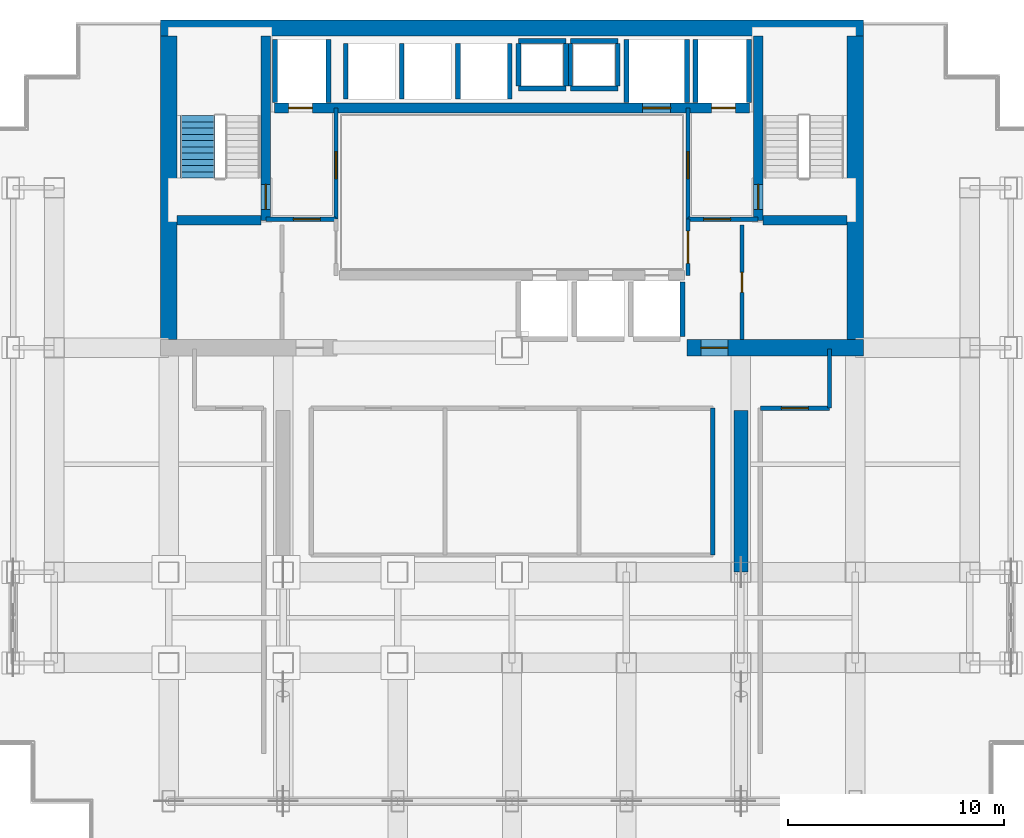
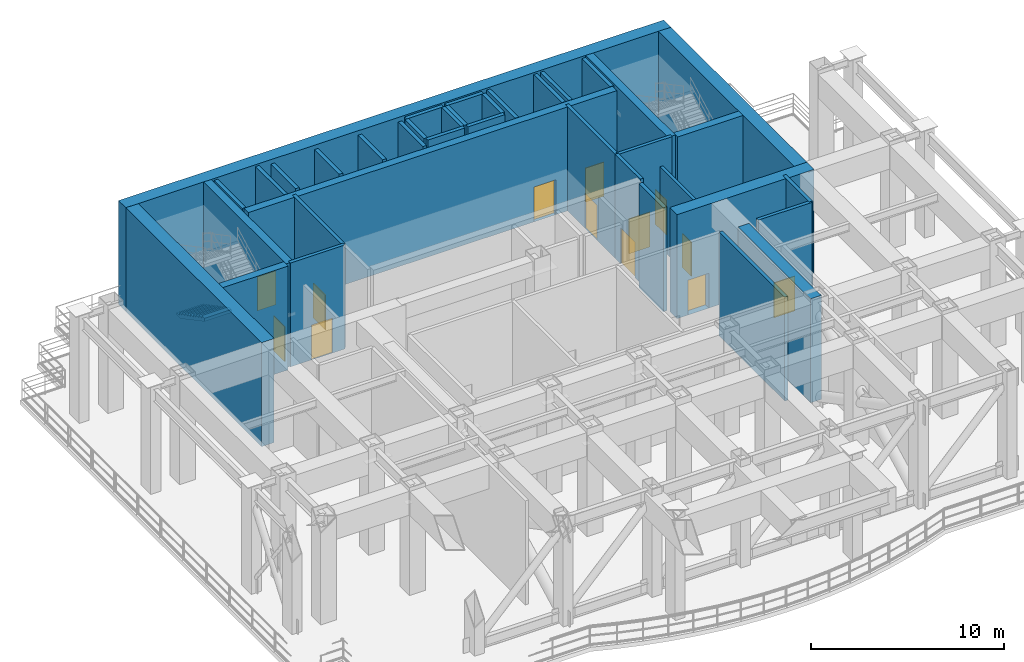
# One storey, part 4 of 8: 38 walls, 13 doors, 1 stair flight, 13 openings, 1 element without a shape of its own.
"""IFC4 building model written with IfcOpenShell, lengths in metres."""

from ifc_helpers import new_model, si_unit, direction, frame, frame_2d, origin, place, context, subcontext, project, spatial, polyline, rectangle, outline, extrude, material, layer, layer_set, type_object, element, fill, aggregate, save


model = new_model("IFC4")

# Units and contexts
model_context = context("Model", 3, precision=1e-05, world=origin(), true_north=direction((0.0, 1.0)))
body_context = subcontext(model_context, "Body", "Model", "MODEL_VIEW")
ifc_project = project(units=[si_unit("LENGTHUNIT", "METRE"), si_unit("AREAUNIT", "SQUARE_METRE"), si_unit("VOLUMEUNIT", "CUBIC_METRE"), si_unit("PLANEANGLEUNIT", "RADIAN"), si_unit("MASSUNIT", "GRAM", prefix="KILO")], contexts=[model_context])

# Site, building, storey
site_placement = place(None, origin())
site = spatial("IfcSite", under=ifc_project, at=site_placement, CompositionType="ELEMENT")
building_placement = place(site_placement, origin())
building = spatial("IfcBuilding", under=site, at=building_placement, Name="Qianlan Lanfeng Residences", CompositionType="ELEMENT")
storey_placement = place(building_placement, frame((0.0, 0.0, 127.89990234375)))
storey = spatial("IfcBuildingStorey", under=building, at=storey_placement, Name="L35", CompositionType="ELEMENT", Elevation=127.89990234375)

# Wall, opening, door
ifc_material_1 = material(Name="Concrete C60", Category="concrete")
ifc_layer_1 = layer(ifc_material_1, 0.449951171875)
ifc_layer_set_1 = layer_set([ifc_layer_1], Name="Concrete C60")
wall_type_1 = type_object("IfcWallType", Name="CW-RC-450", PredefinedType="SHEAR", material=ifc_layer_set_1)
wall_1_placement = place(storey_placement, frame((15.10009765625, 31.10009765625, 0.0), z_axis=(0.0, 0.0, 1.0), x_axis=(0.0, 1.0, 0.0)))
wall_1 = element("IfcWall", 1, at=wall_1_placement, inside=storey, type_object=wall_type_1, Name="L35 Core Shear Wall ST1E", PredefinedType="SHEAR", context=body_context, shape_type="SweptSolid", body=[
    extrude(rectangle(XDim=8.52490234375, YDim=0.449951171875, at=frame_2d((4.262451171875, 0.0))), origin(), (0.0, 0.0, 1.0), 6.56005859375),
])
opening_1_placement = place(wall_1_placement, frame((0.510009765625, 0.0, 0.0)))
opening_1 = element("IfcOpeningElement", 2, at=opening_1_placement, cuts=wall_1, Name="Opening L35-D07", PredefinedType="OPENING", context=body_context, shape_type="SweptSolid", body=[
    extrude(rectangle(XDim=1.14990234375, YDim=2.199951171875, at=frame_2d((0.574951171875, 1.10009765625))), frame((0.0, 0.23486328125, 0.0), z_axis=(0.0, -1.0, 0.0), x_axis=(1.0, 0.0, 0.0)), (0.0, 0.0, 1.0), 0.469970703125),
])
ifc_material_2 = material(Name="Painted Galvanised Steel Fire Door", Category="steel")
door_type_1 = type_object("IfcDoorType", Name="DT-ST1", OperationType="NOTDEFINED", PredefinedType="DOOR", material=ifc_material_2)
door_1_placement = place(opening_1_placement, frame((1.14990234375, 0.0, 0.0), z_axis=(0.0, 0.0, 1.0), x_axis=(-1.0, 0.0, 0.0)))
door_1 = element("IfcDoor", 3, at=door_1_placement, inside=storey, type_object=door_type_1, Name="L35 Exit Stair ST-1 Door L35-D07 (DT-ST1)", OperationType="SINGLE_SWING_RIGHT", OverallHeight=2.199951171875, OverallWidth=1.14990234375, PredefinedType="DOOR", context=body_context, shape_type="SweptSolid", body=[
    extrude(rectangle(XDim=1.14990234375, YDim=2.199951171875, at=frame_2d((0.574951171875, 1.10009765625))), frame((0.0, 0.02490234375, 0.0), z_axis=(0.0, -1.0, 0.0), x_axis=(1.0, 0.0, 0.0)), (0.0, 0.0, 1.0), 0.050048828125),
])
fill(opening_1, door_1)

# Wall
wall_2_placement = place(storey_placement, frame((10.97509765625, 31.10009765625, 0.0), z_axis=(0.0, 0.0, 1.0), x_axis=(1.0, 0.0, 0.0)))
element("IfcWall", 4, at=wall_2_placement, inside=storey, type_object=wall_type_1, Name="L35 Core Shear Wall ST1S", PredefinedType="SHEAR", context=body_context, shape_type="SweptSolid", body=[
    extrude(rectangle(XDim=3.89990234375, YDim=0.449951171875, at=frame_2d((1.949951171875, 0.0))), origin(), (0.0, 0.0, 1.0), 6.56005859375),
])

# Wall, opening, door
wall_3_placement = place(storey_placement, frame((37.89990234375, 31.10009765625, 0.0), z_axis=(0.0, 0.0, 1.0), x_axis=(0.0, 1.0, 0.0)))
wall_3 = element("IfcWall", 5, at=wall_3_placement, inside=storey, type_object=wall_type_1, Name="L35 Core Shear Wall ST2W", PredefinedType="SHEAR", context=body_context, shape_type="SweptSolid", body=[
    extrude(rectangle(XDim=8.52490234375, YDim=0.449951171875, at=frame_2d((4.262451171875, 0.0))), origin(), (0.0, 0.0, 1.0), 6.56005859375),
])
opening_2_placement = place(wall_3_placement, frame((0.510009765625, 0.0, 0.0)))
opening_2 = element("IfcOpeningElement", 6, at=opening_2_placement, cuts=wall_3, Name="Opening L35-D08", PredefinedType="OPENING", context=body_context, shape_type="SweptSolid", body=[
    extrude(rectangle(XDim=1.14990234375, YDim=2.199951171875, at=frame_2d((0.574951171875, 1.10009765625))), frame((0.0, 0.23486328125, 0.0), z_axis=(0.0, -1.0, 0.0), x_axis=(1.0, 0.0, 0.0)), (0.0, 0.0, 1.0), 0.469970703125),
])
door_2_placement = place(opening_2_placement, origin())
door_2 = element("IfcDoor", 7, at=door_2_placement, inside=storey, type_object=door_type_1, Name="L35 Exit Stair ST-2 Door L35-D08 (DT-ST1)", OperationType="SINGLE_SWING_RIGHT", OverallHeight=2.199951171875, OverallWidth=1.14990234375, PredefinedType="DOOR", context=body_context, shape_type="SweptSolid", body=[
    extrude(rectangle(XDim=1.14990234375, YDim=2.199951171875, at=frame_2d((0.574951171875, 1.10009765625))), frame((0.0, 0.02490234375, 0.0), z_axis=(0.0, -1.0, 0.0), x_axis=(1.0, 0.0, 0.0)), (0.0, 0.0, 1.0), 0.050048828125),
])
fill(opening_2, door_2)

# Wall
wall_4_placement = place(storey_placement, frame((38.125, 31.10009765625, 0.0), z_axis=(0.0, 0.0, 1.0), x_axis=(1.0, 0.0, 0.0)))
element("IfcWall", 8, at=wall_4_placement, inside=storey, type_object=wall_type_1, Name="L35 Core Shear Wall ST2S", PredefinedType="SHEAR", context=body_context, shape_type="SweptSolid", body=[
    extrude(rectangle(XDim=3.89990234375, YDim=0.449951171875, at=frame_2d((1.949951171875, 0.0))), origin(), (0.0, 0.0, 1.0), 6.56005859375),
])

# Wall, openings, doors
wall_5_placement = place(storey_placement, frame((15.5, 36.300048828125, 0.0), z_axis=(0.0, 0.0, 1.0), x_axis=(1.0, 0.0, 0.0)))
wall_5 = element("IfcWall", 9, at=wall_5_placement, inside=storey, type_object=wall_type_1, Name="L35 Core Shear Wall LBN", PredefinedType="SHEAR", context=body_context, shape_type="SweptSolid", body=[
    extrude(rectangle(XDim=22.0, YDim=0.449951171875, at=frame_2d((11.0, 0.0))), origin(), (0.0, 0.0, 1.0), 6.56005859375),
])
opening_3_placement = place(wall_5_placement, frame((0.64990234375, 0.0, 0.0)))
opening_3 = element("IfcOpeningElement", 10, at=opening_3_placement, cuts=wall_5, Name="Opening L35-LD-FFL-1", PredefinedType="OPENING", context=body_context, shape_type="SweptSolid", body=[
    extrude(rectangle(XDim=1.10009765625, YDim=2.14990234375, at=frame_2d((0.550048828125, 1.074951171875))), frame((0.0, 0.23486328125, 0.0), z_axis=(0.0, -1.0, 0.0), x_axis=(1.0, 0.0, 0.0)), (0.0, 0.0, 1.0), 0.469970703125),
])
opening_4_placement = place(wall_5_placement, frame((20.25, 0.0, 0.0)))
opening_4 = element("IfcOpeningElement", 11, at=opening_4_placement, cuts=wall_5, Name="Opening L35-LD-FFL-2", PredefinedType="OPENING", context=body_context, shape_type="SweptSolid", body=[
    extrude(rectangle(XDim=1.10009765625, YDim=2.14990234375, at=frame_2d((0.550048828125, 1.074951171875))), frame((0.0, 0.23486328125, 0.0), z_axis=(0.0, -1.0, 0.0), x_axis=(1.0, 0.0, 0.0)), (0.0, 0.0, 1.0), 0.469970703125),
])
opening_5_placement = place(wall_5_placement, frame((17.050048828125, 0.0, 0.0)))
opening_5 = element("IfcOpeningElement", 12, at=opening_5_placement, cuts=wall_5, Name="Opening L35-LD-SVL-1", PredefinedType="OPENING", context=body_context, shape_type="SweptSolid", body=[
    extrude(rectangle(XDim=1.300048828125, YDim=2.199951171875, at=frame_2d((0.64990234375, 1.10009765625))), frame((0.0, 0.23486328125, 0.0), z_axis=(0.0, -1.0, 0.0), x_axis=(1.0, 0.0, 0.0)), (0.0, 0.0, 1.0), 0.469970703125),
])
ifc_material_3 = material(Name="Brushed Stainless Steel Sliding Lift Door", Category="steel")
door_type_2 = type_object("IfcDoorType", Name="LD-01", OperationType="NOTDEFINED", PredefinedType="DOOR", material=ifc_material_3)
door_3_placement = place(opening_3_placement, frame((1.10009765625, 0.0, 0.0), z_axis=(0.0, 0.0, 1.0), x_axis=(-1.0, 0.0, 0.0)))
door_3 = element("IfcDoor", 13, at=door_3_placement, inside=storey, type_object=door_type_2, Name="L35 Elevator FFL-1 Sliding Landing Door", OperationType="DOUBLE_DOOR_SLIDING", OverallHeight=2.14990234375, OverallWidth=1.10009765625, PredefinedType="DOOR", context=body_context, shape_type="SweptSolid", body=[
    extrude(rectangle(XDim=1.10009765625, YDim=2.14990234375, at=frame_2d((0.550048828125, 1.074951171875))), frame((0.0, 0.02490234375, 0.0), z_axis=(0.0, -1.0, 0.0), x_axis=(1.0, 0.0, 0.0)), (0.0, 0.0, 1.0), 0.050048828125),
])
fill(opening_3, door_3)
door_4_placement = place(opening_4_placement, frame((1.10009765625, 0.0, 0.0), z_axis=(0.0, 0.0, 1.0), x_axis=(-1.0, 0.0, 0.0)))
door_4 = element("IfcDoor", 14, at=door_4_placement, inside=storey, type_object=door_type_2, Name="L35 Elevator FFL-2 Sliding Landing Door", OperationType="DOUBLE_DOOR_SLIDING", OverallHeight=2.14990234375, OverallWidth=1.10009765625, PredefinedType="DOOR", context=body_context, shape_type="SweptSolid", body=[
    extrude(rectangle(XDim=1.10009765625, YDim=2.14990234375, at=frame_2d((0.550048828125, 1.074951171875))), frame((0.0, 0.02490234375, 0.0), z_axis=(0.0, -1.0, 0.0), x_axis=(1.0, 0.0, 0.0)), (0.0, 0.0, 1.0), 0.050048828125),
])
fill(opening_4, door_4)
door_type_3 = type_object("IfcDoorType", Name="LD-02", OperationType="NOTDEFINED", PredefinedType="DOOR", material=ifc_material_3)
door_5_placement = place(opening_5_placement, frame((1.300048828125, 0.0, 0.0), z_axis=(0.0, 0.0, 1.0), x_axis=(-1.0, 0.0, 0.0)))
door_5 = element("IfcDoor", 15, at=door_5_placement, inside=storey, type_object=door_type_3, Name="L35 Elevator SVL-1 Sliding Landing Door", OperationType="DOUBLE_DOOR_SLIDING", OverallHeight=2.199951171875, OverallWidth=1.300048828125, PredefinedType="DOOR", context=body_context, shape_type="SweptSolid", body=[
    extrude(rectangle(XDim=1.300048828125, YDim=2.199951171875, at=frame_2d((0.64990234375, 1.10009765625))), frame((0.0, 0.02490234375, 0.0), z_axis=(0.0, -1.0, 0.0), x_axis=(1.0, 0.0, 0.0)), (0.0, 0.0, 1.0), 0.050048828125),
])
fill(opening_5, door_5)

# Walls
ifc_layer_2 = layer(ifc_material_1, 0.75)
ifc_layer_set_2 = layer_set([ifc_layer_2], Name="Concrete C60")
wall_type_2 = type_object("IfcWallType", Name="CW-RC-750", PredefinedType="SHEAR", material=ifc_layer_set_2)
wall_6_placement = place(storey_placement, frame((10.22509765625, 40.0, 0.0), z_axis=(0.0, 0.0, 1.0), x_axis=(1.0, 0.0, 0.0)))
element("IfcWall", 16, at=wall_6_placement, inside=storey, type_object=wall_type_2, Name="L35 Core Shear Wall N", PredefinedType="SHEAR", context=body_context, shape_type="SweptSolid", body=[
    extrude(rectangle(XDim=32.5498046875, YDim=0.75, at=frame_2d((16.27490234375, 0.0))), origin(), (0.0, 0.0, 1.0), 6.56005859375),
])
for number, where, z_axis, x_axis, name in (
    (17, (10.60009765625, 25.574951171875, 0.0), (0.0, 0.0, 1.0), (0.0, 1.0, 0.0), "L35 Core Shear Wall W"),
    (18, (42.39990234375, 25.574951171875, 0.0), (0.0, 0.0, 1.0), (0.0, 1.0, 0.0), "L35 Core Shear Wall E"),
):
    element("IfcWall", number, at=place(storey_placement, frame(where, z_axis=z_axis, x_axis=x_axis)), inside=storey, type_object=wall_type_2, Name=name, PredefinedType="SHEAR", context=body_context, shape_type="SweptSolid", body=[
        extrude(rectangle(XDim=14.050048828125, YDim=0.75, at=frame_2d((7.02490234375, 0.0))), origin(), (0.0, 0.0, 1.0), 6.56005859375),
    ])

# Wall, opening, door
wall_7_placement = place(storey_placement, frame((34.60009765625, 25.199951171875, 0.0), z_axis=(0.0, 0.0, 1.0), x_axis=(1.0, 0.0, 0.0)))
wall_7 = element("IfcWall", 19, at=wall_7_placement, inside=storey, type_object=wall_type_2, Name="L35 Core Shear Wall SE", PredefinedType="SHEAR", context=body_context, shape_type="SweptSolid", body=[
    extrude(rectangle(XDim=8.1748046875, YDim=0.75, at=frame_2d((4.08740234375, 0.0))), origin(), (0.0, 0.0, 1.0), 6.56005859375),
])
opening_6_placement = place(wall_7_placement, frame((0.64990234375, 0.0, 0.0)))
opening_6 = element("IfcOpeningElement", 20, at=opening_6_placement, cuts=wall_7, Name="Opening L35-D02", PredefinedType="OPENING", context=body_context, shape_type="SweptSolid", body=[
    extrude(rectangle(XDim=1.25, YDim=2.199951171875, at=frame_2d((0.625, 1.10009765625))), frame((0.0, 0.385009765625, 0.0), z_axis=(0.0, -1.0, 0.0), x_axis=(1.0, 0.0, 0.0)), (0.0, 0.0, 1.0), 0.77001953125),
])
door_type_4 = type_object("IfcDoorType", Name="DT-FFL", OperationType="NOTDEFINED", PredefinedType="DOOR", material=ifc_material_2)
door_6_placement = place(opening_6_placement, frame((1.25, 0.0, 0.0), z_axis=(0.0, 0.0, 1.0), x_axis=(-1.0, 0.0, 0.0)))
door_6 = element("IfcDoor", 21, at=door_6_placement, inside=storey, type_object=door_type_4, Name="L35 East Core Lobby Smoke Door L35-D02 (DT-FFL)", OperationType="SINGLE_SWING_LEFT", OverallHeight=2.199951171875, OverallWidth=1.25, PredefinedType="DOOR", context=body_context, shape_type="SweptSolid", body=[
    extrude(rectangle(XDim=1.25, YDim=2.199951171875, at=frame_2d((0.625, 1.10009765625))), frame((0.0, 0.02490234375, 0.0), z_axis=(0.0, -1.0, 0.0), x_axis=(1.0, 0.0, 0.0)), (0.0, 0.0, 1.0), 0.050048828125),
])
fill(opening_6, door_6)

# Wall
ifc_layer_3 = layer(ifc_material_1, 0.64990234375)
ifc_layer_set_3 = layer_set([ifc_layer_3], Name="Concrete C60")
wall_type_3 = type_object("IfcWallType", Name="OW-RC-650", PredefinedType="SHEAR", material=ifc_layer_set_3)
wall_8_placement = place(storey_placement, frame((37.10009765625, 14.800048828125, 0.0), z_axis=(0.0, 0.0, 1.0), x_axis=(0.0, 1.0, 0.0)))
element("IfcWall", 22, at=wall_8_placement, inside=storey, type_object=wall_type_3, Name="L35 Outrigger Shear Wall OW-E", PredefinedType="SHEAR", context=body_context, shape_type="SweptSolid", body=[
    extrude(rectangle(XDim=7.5, YDim=0.64990234375, at=frame_2d((3.75, 0.0))), origin(), (0.0, 0.0, 1.0), 6.56005859375),
])

# Wall, opening, door
ifc_material_4 = material(Name="Double-Layer Acoustic Gypsum Stud Wall 180 mm")
ifc_layer_4 = layer(ifc_material_4, 0.179931640625)
ifc_layer_set_4 = layer_set([ifc_layer_4], Name="Double-Layer Acoustic Gypsum Stud Wall 180 mm")
wall_type_4 = type_object("IfcWallType", Name="PW-180", PredefinedType="PARTITIONING", material=ifc_layer_set_4)
wall_9_placement = place(storey_placement, frame((37.14990234375, 25.574951171875, 0.0), z_axis=(0.0, 0.0, 1.0), x_axis=(0.0, 1.0, 0.0)))
wall_9 = element("IfcWall", 23, at=wall_9_placement, inside=storey, type_object=wall_type_4, Name="L35 Core East Service Room Wall", PredefinedType="PARTITIONING", context=body_context, shape_type="SweptSolid", body=[
    extrude(rectangle(XDim=5.300048828125, YDim=0.179931640625, at=frame_2d((2.64990234375, 0.0))), origin(), (0.0, 0.0, 1.0), 5.05517578125),
])
opening_7_placement = place(wall_9_placement, frame((2.18994140625, 0.0, 0.0)))
opening_7 = element("IfcOpeningElement", 24, at=opening_7_placement, cuts=wall_9, Name="Opening L35-D10", PredefinedType="OPENING", context=body_context, shape_type="SweptSolid", body=[
    extrude(rectangle(XDim=0.919921875, YDim=2.14990234375, at=frame_2d((0.4599609375, 1.074951171875))), frame((0.0, 0.10009765625, 0.0), z_axis=(0.0, -1.0, 0.0), x_axis=(1.0, 0.0, 0.0)), (0.0, 0.0, 1.0), 0.199951171875),
])
ifc_material_5 = material(Name="Glazed Timber Kitchen/Study Door", Category="wood")
door_type_5 = type_object("IfcDoorType", Name="DT-INT", OperationType="NOTDEFINED", PredefinedType="DOOR", material=ifc_material_5)
door_7_placement = place(opening_7_placement, origin())
door_7 = element("IfcDoor", 25, at=door_7_placement, inside=storey, type_object=door_type_5, Name="L35 Refuse Recycling Door L35-D10 (DT-INT)", OperationType="SINGLE_SWING_RIGHT", OverallHeight=2.14990234375, OverallWidth=0.919921875, PredefinedType="DOOR", context=body_context, shape_type="SweptSolid", body=[
    extrude(rectangle(XDim=0.919921875, YDim=2.14990234375, at=frame_2d((0.4599609375, 1.074951171875))), frame((0.0, 0.02490234375, 0.0), z_axis=(0.0, -1.0, 0.0), x_axis=(1.0, 0.0, 0.0)), (0.0, 0.0, 1.0), 0.050048828125),
])
fill(opening_7, door_7)

ifc_material_6 = material(Name="Autoclaved Aerated Concrete Blockwork 200 mm", Category="masonry")
ifc_layer_5 = layer(ifc_material_6, 0.199951171875)
ifc_layer_set_5 = layer_set([ifc_layer_5], Name="Autoclaved Aerated Concrete Blockwork 200 mm")
wall_type_5 = type_object("IfcWallType", Name="PW-200", PredefinedType="PARTITIONING", material=ifc_layer_set_5)
wall_10_placement = place(storey_placement, frame((15.10009765625, 31.14990234375, 0.0), z_axis=(0.0, 0.0, 1.0), x_axis=(1.0, 0.0, 0.0)))
wall_10 = element("IfcWall", 26, at=wall_10_placement, inside=storey, type_object=wall_type_5, Name="L35 Firefighting Lobby 1 South Wall", PredefinedType="PARTITIONING", context=body_context, shape_type="SweptSolid", body=[
    extrude(rectangle(XDim=3.25, YDim=0.199951171875, at=frame_2d((1.625, 0.0))), origin(), (0.0, 0.0, 1.0), 6.56005859375),
])
opening_8_placement = place(wall_10_placement, frame((1.27490234375, 0.0, 0.0)))
opening_8 = element("IfcOpeningElement", 27, at=opening_8_placement, cuts=wall_10, Name="Opening L35-D03", PredefinedType="OPENING", context=body_context, shape_type="SweptSolid", body=[
    extrude(rectangle(XDim=1.25, YDim=2.199951171875, at=frame_2d((0.625, 1.10009765625))), frame((0.0, 0.10986328125, 0.0), z_axis=(0.0, -1.0, 0.0), x_axis=(1.0, 0.0, 0.0)), (0.0, 0.0, 1.0), 0.219970703125),
])
door_8_placement = place(opening_8_placement, origin())
door_8 = element("IfcDoor", 28, at=door_8_placement, inside=storey, type_object=door_type_4, Name="L35 Firefighting Lobby 1 Entry Door L35-D03 (DT-FFL)", OperationType="SINGLE_SWING_LEFT", OverallHeight=2.199951171875, OverallWidth=1.25, PredefinedType="DOOR", context=body_context, shape_type="SweptSolid", body=[
    extrude(rectangle(XDim=1.25, YDim=2.199951171875, at=frame_2d((0.625, 1.10009765625))), frame((0.0, 0.02490234375, 0.0), z_axis=(0.0, -1.0, 0.0), x_axis=(1.0, 0.0, 0.0)), (0.0, 0.0, 1.0), 0.050048828125),
])
fill(opening_8, door_8)

wall_11_placement = place(storey_placement, frame((18.35009765625, 31.14990234375, 0.0), z_axis=(0.0, 0.0, 1.0), x_axis=(0.0, 1.0, 0.0)))
wall_11 = element("IfcWall", 29, at=wall_11_placement, inside=storey, type_object=wall_type_5, Name="L35 Firefighting Lobby 1 East Wall", PredefinedType="PARTITIONING", context=body_context, shape_type="SweptSolid", body=[
    extrude(rectangle(XDim=5.150146484375, YDim=0.199951171875, at=frame_2d((2.5751953125, 0.0))), origin(), (0.0, 0.0, 1.0), 6.56005859375),
])
opening_9_placement = place(wall_11_placement, frame((1.875, 0.0, 0.0)))
opening_9 = element("IfcOpeningElement", 30, at=opening_9_placement, cuts=wall_11, Name="Opening L35-D04", PredefinedType="OPENING", context=body_context, shape_type="SweptSolid", body=[
    extrude(rectangle(XDim=1.25, YDim=2.199951171875, at=frame_2d((0.625, 1.10009765625))), frame((0.0, 0.10986328125, 0.0), z_axis=(0.0, -1.0, 0.0), x_axis=(1.0, 0.0, 0.0)), (0.0, 0.0, 1.0), 0.219970703125),
])
door_9_placement = place(opening_9_placement, origin())
door_9 = element("IfcDoor", 31, at=door_9_placement, inside=storey, type_object=door_type_4, Name="L35 Firefighting Lobby 1 Lift Lobby Door L35-D04 (DT-FFL)", OperationType="SINGLE_SWING_RIGHT", OverallHeight=2.199951171875, OverallWidth=1.25, PredefinedType="DOOR", context=body_context, shape_type="SweptSolid", body=[
    extrude(rectangle(XDim=1.25, YDim=2.199951171875, at=frame_2d((0.625, 1.10009765625))), frame((0.0, 0.02490234375, 0.0), z_axis=(0.0, -1.0, 0.0), x_axis=(1.0, 0.0, 0.0)), (0.0, 0.0, 1.0), 0.050048828125),
])
fill(opening_9, door_9)

wall_12_placement = place(storey_placement, frame((34.64990234375, 31.14990234375, 0.0), z_axis=(0.0, 0.0, 1.0), x_axis=(1.0, 0.0, 0.0)))
wall_12 = element("IfcWall", 32, at=wall_12_placement, inside=storey, type_object=wall_type_5, Name="L35 Firefighting Lobby 2 South Wall", PredefinedType="PARTITIONING", context=body_context, shape_type="SweptSolid", body=[
    extrude(rectangle(XDim=3.25, YDim=0.199951171875, at=frame_2d((1.625, 0.0))), origin(), (0.0, 0.0, 1.0), 6.56005859375),
])
opening_10_placement = place(wall_12_placement, frame((0.72509765625, 0.0, 0.0)))
opening_10 = element("IfcOpeningElement", 33, at=opening_10_placement, cuts=wall_12, Name="Opening L35-D05", PredefinedType="OPENING", context=body_context, shape_type="SweptSolid", body=[
    extrude(rectangle(XDim=1.25, YDim=2.199951171875, at=frame_2d((0.625, 1.10009765625))), frame((0.0, 0.10986328125, 0.0), z_axis=(0.0, -1.0, 0.0), x_axis=(1.0, 0.0, 0.0)), (0.0, 0.0, 1.0), 0.219970703125),
])
door_10_placement = place(opening_10_placement, origin())
door_10 = element("IfcDoor", 34, at=door_10_placement, inside=storey, type_object=door_type_4, Name="L35 Firefighting Lobby 2 Entry Door L35-D05 (DT-FFL)", OperationType="SINGLE_SWING_RIGHT", OverallHeight=2.199951171875, OverallWidth=1.25, PredefinedType="DOOR", context=body_context, shape_type="SweptSolid", body=[
    extrude(rectangle(XDim=1.25, YDim=2.199951171875, at=frame_2d((0.625, 1.10009765625))), frame((0.0, 0.02490234375, 0.0), z_axis=(0.0, -1.0, 0.0), x_axis=(1.0, 0.0, 0.0)), (0.0, 0.0, 1.0), 0.050048828125),
])
fill(opening_10, door_10)

wall_13_placement = place(storey_placement, frame((34.64990234375, 31.14990234375, 0.0), z_axis=(0.0, 0.0, 1.0), x_axis=(0.0, 1.0, 0.0)))
wall_13 = element("IfcWall", 35, at=wall_13_placement, inside=storey, type_object=wall_type_5, Name="L35 Firefighting Lobby 2 West Wall", PredefinedType="PARTITIONING", context=body_context, shape_type="SweptSolid", body=[
    extrude(rectangle(XDim=5.150146484375, YDim=0.199951171875, at=frame_2d((2.5751953125, 0.0))), origin(), (0.0, 0.0, 1.0), 6.56005859375),
])
opening_11_placement = place(wall_13_placement, frame((1.875, 0.0, 0.0)))
opening_11 = element("IfcOpeningElement", 36, at=opening_11_placement, cuts=wall_13, Name="Opening L35-D06", PredefinedType="OPENING", context=body_context, shape_type="SweptSolid", body=[
    extrude(rectangle(XDim=1.25, YDim=2.199951171875, at=frame_2d((0.625, 1.10009765625))), frame((0.0, 0.10986328125, 0.0), z_axis=(0.0, -1.0, 0.0), x_axis=(1.0, 0.0, 0.0)), (0.0, 0.0, 1.0), 0.219970703125),
])
door_11_placement = place(opening_11_placement, origin())
door_11 = element("IfcDoor", 37, at=door_11_placement, inside=storey, type_object=door_type_4, Name="L35 Firefighting Lobby 2 Lift Lobby Door L35-D06 (DT-FFL)", OperationType="SINGLE_SWING_RIGHT", OverallHeight=2.199951171875, OverallWidth=1.25, PredefinedType="DOOR", context=body_context, shape_type="SweptSolid", body=[
    extrude(rectangle(XDim=1.25, YDim=2.199951171875, at=frame_2d((0.625, 1.10009765625))), frame((0.0, 0.02490234375, 0.0), z_axis=(0.0, -1.0, 0.0), x_axis=(1.0, 0.0, 0.0)), (0.0, 0.0, 1.0), 0.050048828125),
])
fill(opening_11, door_11)

wall_14_placement = place(storey_placement, frame((34.64990234375, 28.550048828125, 0.0), z_axis=(0.0, 0.0, 1.0), x_axis=(0.0, 1.0, 0.0)))
wall_14 = element("IfcWall", 38, at=wall_14_placement, inside=storey, type_object=wall_type_5, Name="L35 Lift Lobby East Connector Wall", PredefinedType="PARTITIONING", context=body_context, shape_type="SweptSolid", body=[
    extrude(rectangle(XDim=2.599853515625, YDim=0.199951171875, at=frame_2d((1.2998046875, 0.0))), origin(), (0.0, 0.0, 1.0), 6.56005859375),
])
opening_12_placement = place(wall_14_placement, frame((0.550048828125, 0.0, 0.0)))
opening_12 = element("IfcOpeningElement", 39, at=opening_12_placement, cuts=wall_14, Name="Opening L35-D12", PredefinedType="OPENING", context=body_context, shape_type="SweptSolid", body=[
    extrude(rectangle(XDim=1.5, YDim=2.25, at=frame_2d((0.75, 1.125))), frame((0.0, 0.10986328125, 0.0), z_axis=(0.0, -1.0, 0.0), x_axis=(1.0, 0.0, 0.0)), (0.0, 0.0, 1.0), 0.219970703125),
])
ifc_material_7 = material(Name="Timber Veneer Acoustic Fire Door", Category="wood")
door_type_6 = type_object("IfcDoorType", Name="DT-COR1", OperationType="NOTDEFINED", PredefinedType="DOOR", material=ifc_material_7)
door_12_placement = place(opening_12_placement, frame((1.5, 0.0, 0.0), z_axis=(0.0, 0.0, 1.0), x_axis=(-1.0, 0.0, 0.0)))
door_12 = element("IfcDoor", 40, at=door_12_placement, inside=storey, type_object=door_type_6, Name="L35 Lift Lobby East Portal Door L35-D12 (DT-COR1)", OperationType="DOUBLE_DOOR_SINGLE_SWING", OverallHeight=2.25, OverallWidth=1.5, PredefinedType="DOOR", context=body_context, shape_type="SweptSolid", body=[
    extrude(rectangle(XDim=1.5, YDim=2.25, at=frame_2d((0.75, 1.125))), frame((0.0, 0.02490234375, 0.0), z_axis=(0.0, -1.0, 0.0), x_axis=(1.0, 0.0, 0.0)), (0.0, 0.0, 1.0), 0.050048828125),
])
fill(opening_12, door_12)

# Wall
wall_15_placement = place(storey_placement, frame((35.800048828125, 15.60009765625, 0.0), z_axis=(0.0, 0.0, 1.0), x_axis=(0.0, 1.0, 0.0)))
element("IfcWall", 41, at=wall_15_placement, inside=storey, type_object=wall_type_5, Name="L35 Plant Block East Wall", PredefinedType="PARTITIONING", context=body_context, shape_type="SweptSolid", body=[
    extrude(rectangle(XDim=6.7998046875, YDim=0.199951171875, at=frame_2d((3.39990234375, 0.0))), origin(), (0.0, 0.0, 1.0), 6.56005859375),
])

# Wall, opening, door
wall_16_placement = place(storey_placement, frame((38.0, 22.39990234375, 0.0), z_axis=(0.0, 0.0, 1.0), x_axis=(1.0, 0.0, 0.0)))
wall_16 = element("IfcWall", 42, at=wall_16_placement, inside=storey, type_object=wall_type_5, Name="L35 East Refuge Exit Wall", PredefinedType="PARTITIONING", context=body_context, shape_type="SweptSolid", body=[
    extrude(rectangle(XDim=3.199951171875, YDim=0.199951171875, at=frame_2d((1.60009765625, 0.0))), origin(), (0.0, 0.0, 1.0), 6.56005859375),
])
opening_13_placement = place(wall_16_placement, frame((0.97509765625, 0.0, 0.0)))
opening_13 = element("IfcOpeningElement", 43, at=opening_13_placement, cuts=wall_16, Name="Opening L35-D17", PredefinedType="OPENING", context=body_context, shape_type="SweptSolid", body=[
    extrude(rectangle(XDim=1.25, YDim=2.199951171875, at=frame_2d((0.625, 1.10009765625))), frame((0.0, 0.10986328125, 0.0), z_axis=(0.0, -1.0, 0.0), x_axis=(1.0, 0.0, 0.0)), (0.0, 0.0, 1.0), 0.219970703125),
])
door_13_placement = place(opening_13_placement, origin())
door_13 = element("IfcDoor", 44, at=door_13_placement, inside=storey, type_object=door_type_4, Name="L35 L35 East Refuge Area Smoke Door L35-D17 (DT-FFL)", OperationType="SINGLE_SWING_LEFT", OverallHeight=2.199951171875, OverallWidth=1.25, PredefinedType="DOOR", context=body_context, shape_type="SweptSolid", body=[
    extrude(rectangle(XDim=1.25, YDim=2.199951171875, at=frame_2d((0.625, 1.10009765625))), frame((0.0, 0.02490234375, 0.0), z_axis=(0.0, -1.0, 0.0), x_axis=(1.0, 0.0, 0.0)), (0.0, 0.0, 1.0), 0.050048828125),
])
fill(opening_13, door_13)

# Walls
wall_17_placement = place(storey_placement, frame((41.199951171875, 22.39990234375, 0.0), z_axis=(0.0, 0.0, 1.0), x_axis=(0.0, 1.0, 0.0)))
element("IfcWall", 45, at=wall_17_placement, inside=storey, type_object=wall_type_5, Name="L35 East Refuge End Wall", PredefinedType="PARTITIONING", context=body_context, shape_type="SweptSolid", body=[
    extrude(rectangle(XDim=2.75, YDim=0.199951171875, at=frame_2d((1.375, 0.0))), origin(), (0.0, 0.0, 1.0), 6.56005859375),
])
ifc_material_8 = material(Name="Concrete C49", Category="concrete")
ifc_layer_6 = layer(ifc_material_8, 0.219970703125)
ifc_layer_set_6 = layer_set([ifc_layer_6], Name="Concrete C49")
wall_type_6 = type_object("IfcWallType", Name="SHW-220", PredefinedType="SOLIDWALL", material=ifc_layer_set_6)
for number, where, z_axis, x_axis, name in (
    (46, (15.52001953125, 36.550048828125, 0.0), (0.0, 0.0, 1.0), (0.0, 1.0, 0.0), "L35 Lift FFL-1 Shaft Wall W"),
    (47, (18.0, 36.550048828125, 0.0), (0.0, 0.0, 1.0), (0.0, 1.0, 0.0), "L35 Lift FFL-1 Shaft Wall E"),
    (48, (35.0, 36.550048828125, 0.0), (0.0, 0.0, 1.0), (0.0, 1.0, 0.0), "L35 Lift FFL-2 Shaft Wall W"),
    (49, (37.47998046875, 36.550048828125, 0.0), (0.0, 0.0, 1.0), (0.0, 1.0, 0.0), "L35 Lift FFL-2 Shaft Wall E"),
    (50, (31.800048828125, 36.550048828125, 0.0), (0.0, 0.0, 1.0), (0.0, 1.0, 0.0), "L35 Lift SVL-1 Shaft Wall W"),
    (51, (34.60009765625, 36.550048828125, 0.0), (0.0, 0.0, 1.0), (0.0, 1.0, 0.0), "L35 Lift SVL-1 Shaft Wall E"),
):
    element("IfcWall", number, at=place(storey_placement, frame(where, z_axis=z_axis, x_axis=x_axis)), inside=storey, type_object=wall_type_6, Name=name, PredefinedType="SOLIDWALL", context=body_context, shape_type="SweptSolid", body=[
        extrude(rectangle(XDim=2.929931640625, YDim=0.219970703125, at=frame_2d((1.46484375, 0.0))), origin(), (0.0, 0.0, 1.0), 6.56005859375),
    ])
wall_18_placement = place(storey_placement, frame((34.39990234375, 25.719970703125, 0.0), z_axis=(0.0, 0.0, 1.0), x_axis=(0.0, 1.0, 0.0)))
element("IfcWall", 52, at=wall_18_placement, inside=storey, type_object=wall_type_6, Name="L35 Lift PL-M3 Shaft Wall E", PredefinedType="SOLIDWALL", context=body_context, shape_type="SweptSolid", body=[
    extrude(rectangle(XDim=2.530029296875, YDim=0.219970703125, at=frame_2d((1.26513671875, 0.0))), origin(), (0.0, 0.0, 1.0), 6.56005859375),
])
for number, where, z_axis, x_axis, name in (
    (53, (18.800048828125, 36.719970703125, 0.0), (0.0, 0.0, 1.0), (0.0, 1.0, 0.0), "L35 Lift PL-H1 Shaft Wall W"),
    (54, (21.39990234375, 36.719970703125, 0.0), (0.0, 0.0, 1.0), (0.0, 1.0, 0.0), "L35 Lift PL-H2 Shaft Wall W"),
    (55, (24.0, 36.719970703125, 0.0), (0.0, 0.0, 1.0), (0.0, 1.0, 0.0), "L35 Lift PL-H3 Shaft Wall W"),
    (56, (26.39990234375, 36.719970703125, 0.0), (0.0, 0.0, 1.0), (0.0, 1.0, 0.0), "L35 Lift PL-H3 Shaft Wall E"),
):
    element("IfcWall", number, at=place(storey_placement, frame(where, z_axis=z_axis, x_axis=x_axis)), inside=storey, type_object=wall_type_6, Name=name, PredefinedType="SOLIDWALL", context=body_context, shape_type="SweptSolid", body=[
        extrude(rectangle(XDim=2.56005859375, YDim=0.219970703125, at=frame_2d((1.280029296875, 0.0))), origin(), (0.0, 0.0, 1.0), 6.56005859375),
    ])
for number, where, z_axis, x_axis, name in (
    (57, (26.800048828125, 37.31005859375, 0.0), (0.0, 0.0, 1.0), (0.0, 1.0, 0.0), "L35 MEP Riser MEP-R1 Shaft Wall W"),
    (58, (29.0, 37.31005859375, 0.0), (0.0, 0.0, 1.0), (0.0, 1.0, 0.0), "L35 MEP Riser MEP-R1 Shaft Wall E"),
):
    element("IfcWall", number, at=place(storey_placement, frame(where, z_axis=z_axis, x_axis=x_axis)), inside=storey, type_object=wall_type_6, Name=name, PredefinedType="SOLIDWALL", context=body_context, shape_type="SweptSolid", body=[
        extrude(rectangle(XDim=1.97998046875, YDim=0.219970703125, at=frame_2d((0.989990234375, 0.0))), origin(), (0.0, 0.0, 1.0), 6.56005859375),
    ])
for number, where, z_axis, x_axis, name in (
    (59, (26.800048828125, 39.39990234375, 0.0), (0.0, 0.0, 1.0), (1.0, 0.0, 0.0), "L35 MEP Riser MEP-R1 Shaft Wall N"),
    (60, (26.800048828125, 37.199951171875, 0.0), (0.0, 0.0, 1.0), (1.0, 0.0, 0.0), "L35 MEP Riser MEP-R1 Shaft Wall S"),
):
    element("IfcWall", number, at=place(storey_placement, frame(where, z_axis=z_axis, x_axis=x_axis)), inside=storey, type_object=wall_type_6, Name=name, PredefinedType="SOLIDWALL", context=body_context, shape_type="SweptSolid", body=[
        extrude(rectangle(XDim=2.199951171875, YDim=0.219970703125, at=frame_2d((1.10009765625, 0.0))), origin(), (0.0, 0.0, 1.0), 6.56005859375),
    ])
for number, where, z_axis, x_axis, name in (
    (61, (29.199951171875, 37.31005859375, 0.0), (0.0, 0.0, 1.0), (0.0, 1.0, 0.0), "L35 MEP Riser MEP-R2 Shaft Wall W"),
    (62, (31.39990234375, 37.31005859375, 0.0), (0.0, 0.0, 1.0), (0.0, 1.0, 0.0), "L35 MEP Riser MEP-R2 Shaft Wall E"),
):
    element("IfcWall", number, at=place(storey_placement, frame(where, z_axis=z_axis, x_axis=x_axis)), inside=storey, type_object=wall_type_6, Name=name, PredefinedType="SOLIDWALL", context=body_context, shape_type="SweptSolid", body=[
        extrude(rectangle(XDim=1.97998046875, YDim=0.219970703125, at=frame_2d((0.989990234375, 0.0))), origin(), (0.0, 0.0, 1.0), 6.56005859375),
    ])
for number, where, z_axis, x_axis, name in (
    (63, (29.199951171875, 39.39990234375, 0.0), (0.0, 0.0, 1.0), (1.0, 0.0, 0.0), "L35 MEP Riser MEP-R2 Shaft Wall N"),
    (64, (29.199951171875, 37.199951171875, 0.0), (0.0, 0.0, 1.0), (1.0, 0.0, 0.0), "L35 MEP Riser MEP-R2 Shaft Wall S"),
):
    element("IfcWall", number, at=place(storey_placement, frame(where, z_axis=z_axis, x_axis=x_axis)), inside=storey, type_object=wall_type_6, Name=name, PredefinedType="SOLIDWALL", context=body_context, shape_type="SweptSolid", body=[
        extrude(rectangle(XDim=2.199951171875, YDim=0.219970703125, at=frame_2d((1.10009765625, 0.0))), origin(), (0.0, 0.0, 1.0), 6.56005859375),
    ])

# Stair, stair flight
ifc_material_9 = material(Name="Concrete C42", Category="concrete")
stair_type = type_object("IfcStairType", Name="STR-MAIN", PredefinedType="HALF_TURN_STAIR", material=ifc_material_9)
stair_placement = place(storey_placement, origin())
stair = element("IfcStair", 65, at=stair_placement, inside=storey, type_object=stair_type, Name="L35 Exit Stair ST-1", PredefinedType="HALF_TURN_STAIR")
stair_flight_type = type_object("IfcStairFlightType", Name="FLT-1720", PredefinedType="STRAIGHT", material=ifc_material_9)
stair_flight_placement = place(storey_placement, frame((11.93994140625, 35.949951171875, 1.7001953125), z_axis=(0.0, 0.0, 1.0), x_axis=(0.0, -1.0, 0.0)))
stair_flight = element("IfcStairFlight", 66, at=stair_flight_placement, type_object=stair_flight_type, Name="ST-1 flight 2", NumberOfRisers=11, NumberOfTreads=10, PredefinedType="STRAIGHT", RiserHeight=0.154545455, TreadLength=0.29, context=body_context, shape_type="SweptSolid", body=[
    extrude(outline(polyline([(0.0, 0.0), (0.0, 0.154541015625), (0.2900390625, 0.154541015625), (0.2900390625, 0.30908203125), (0.580078125, 0.30908203125), (0.580078125, 0.463623046875), (0.8701171875, 0.463623046875), (0.8701171875, 0.6181640625), (1.159912109375, 0.6181640625), (1.159912109375, 0.772705078125), (1.449951171875, 0.772705078125), (1.449951171875, 0.92724609375), (1.739990234375, 0.92724609375), (1.739990234375, 1.081787109375), (2.030029296875, 1.081787109375), (2.030029296875, 1.236328125), (2.320068359375, 1.236328125), (2.320068359375, 1.390869140625), (2.610107421875, 1.390869140625), (2.610107421875, 1.54541015625), (2.89990234375, 1.54541015625), (2.89990234375, 1.699951171875), (2.89990234375, 1.341552734375), (0.382568359375, 0.0), (0.0, 0.0)])), frame((0.0, 0.800048828125, 0.0), z_axis=(0.0, -1.0, 0.0), x_axis=(1.0, 0.0, 0.0)), (0.0, 0.0, 1.0), 1.60009765625),
])
aggregate(stair, [stair_flight])

save(model, "model.ifc")
